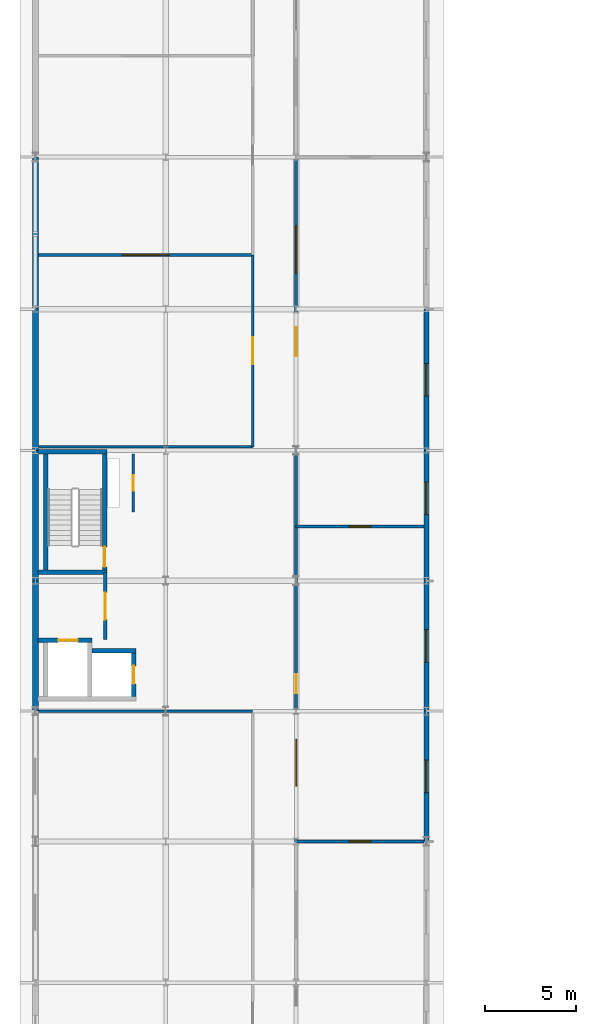
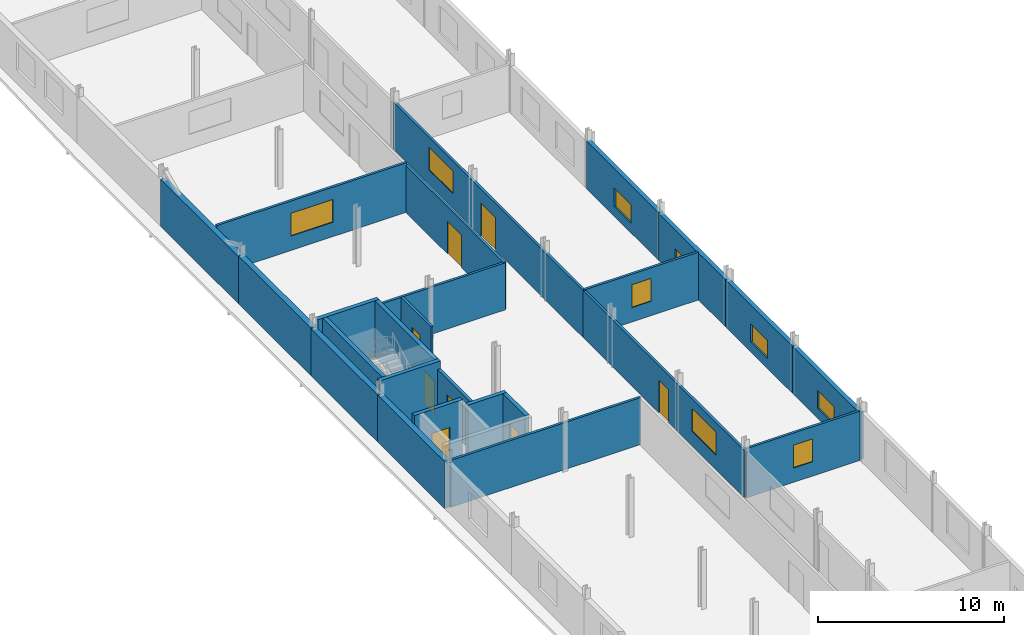
# One storey, part 21 of 30: 25 walls, 9 windows, 8 doors, 17 openings.
"""IFC4 building model written with IfcOpenShell, lengths in metres."""

from ifc_helpers import new_model, si_unit, direction, frame, frame_2d, origin, place, context, subcontext, project, spatial, rectangle, extrude, material, layer, layer_set, type_object, element, fill, save


model = new_model("IFC4")

# Units and contexts
model_context = context("Model", 3, precision=1e-05, world=origin(), true_north=direction((0.0, 1.0)))
body_context = subcontext(model_context, "Body", "Model", "MODEL_VIEW")
ifc_project = project(units=[si_unit("LENGTHUNIT", "METRE"), si_unit("AREAUNIT", "SQUARE_METRE"), si_unit("VOLUMEUNIT", "CUBIC_METRE"), si_unit("PLANEANGLEUNIT", "RADIAN"), si_unit("MASSUNIT", "GRAM", prefix="KILO")], contexts=[model_context])

# Site, building, storey
site_placement = place(None, origin())
site = spatial("IfcSite", under=ifc_project, at=site_placement, CompositionType="ELEMENT")
building_placement = place(site_placement, origin())
building = spatial("IfcBuilding", under=site, at=building_placement, Name="Vinh Khe Railworks Police Headquarters", CompositionType="ELEMENT")
storey_placement = place(building_placement, frame((0.0, 0.0, 21.0)))
storey = spatial("IfcBuildingStorey", under=building, at=storey_placement, Name="L05", CompositionType="ELEMENT", Elevation=21.0)

# Walls
ifc_material_1 = material(Name="Concrete C40/50 (B40)", Category="concrete")
ifc_layer_1 = layer(ifc_material_1, 0.25)
ifc_layer_set_1 = layer_set([ifc_layer_1], Name="Concrete C40/50 (B40)")
wall_type_1 = type_object("IfcWallType", Name="Core Shear Wall 250", PredefinedType="SHEAR", material=ifc_layer_set_1)
for number, where, z_axis, x_axis, name in (
    (1, (0.75, 81.47509765625, 0.0), (0.0, 0.0, 1.0), (1.0, 0.0, 0.0), "Core C2 STAIR-S Shear Wall (L05)"),
    (2, (0.75, 88.125, 0.0), (0.0, 0.0, 1.0), (1.0, 0.0, 0.0), "Core C2 STAIR-N Shear Wall (L05)"),
):
    element("IfcWall", number, at=place(storey_placement, frame(where, z_axis=z_axis, x_axis=x_axis)), inside=storey, type_object=wall_type_1, Name=name, PredefinedType="SHEAR", context=body_context, shape_type="SweptSolid", body=[
        extrude(rectangle(XDim=3.800048828125, YDim=0.25, at=frame_2d((1.89990234375, 0.0))), origin(), (0.0, 0.0, 1.0), 3.699951171875),
    ])
wall_1_placement = place(storey_placement, frame((1.175048828125, 81.60009765625, 0.0), z_axis=(0.0, 0.0, 1.0), x_axis=(0.0, 1.0, 0.0)))
element("IfcWall", 3, at=wall_1_placement, inside=storey, type_object=wall_type_1, Name="Core C2 STAIR-W Shear Wall (L05)", PredefinedType="SHEAR", context=body_context, shape_type="SweptSolid", body=[
    extrude(rectangle(XDim=6.39990234375, YDim=0.25, at=frame_2d((3.199951171875, 0.0))), origin(), (0.0, 0.0, 1.0), 3.699951171875),
])

# Wall, opening, door
wall_2_placement = place(storey_placement, frame((4.425048828125, 81.60009765625, 0.0), z_axis=(0.0, 0.0, 1.0), x_axis=(0.0, 1.0, 0.0)))
wall_2 = element("IfcWall", 4, at=wall_2_placement, inside=storey, type_object=wall_type_1, Name="Core C2 STAIR-E Shear Wall (L05)", PredefinedType="SHEAR", context=body_context, shape_type="SweptSolid", body=[
    extrude(rectangle(XDim=6.39990234375, YDim=0.25, at=frame_2d((3.199951171875, 0.0))), origin(), (0.0, 0.0, 1.0), 3.699951171875),
])
opening_1_placement = place(wall_2_placement, frame((0.169921875, 0.0, 0.0)))
opening_1 = element("IfcOpeningElement", 5, at=opening_1_placement, cuts=wall_2, Name="Opening FD-01", PredefinedType="OPENING", context=body_context, shape_type="SweptSolid", body=[
    extrude(rectangle(XDim=1.10009765625, YDim=2.14990234375, at=frame_2d((0.550048828125, 1.074951171875))), frame((0.0, 0.139892578125, 0.0), z_axis=(0.0, -1.0, 0.0), x_axis=(1.0, 0.0, 0.0)), (0.0, 0.0, 1.0), 0.27978515625),
])
ifc_material_2 = material(Name="Painted galvanised steel", Category="steel")
door_type_1 = type_object("IfcDoorType", Name="FD-1100x2150", OperationType="NOTDEFINED", PredefinedType="DOOR", material=ifc_material_2)
door_1_placement = place(opening_1_placement, frame((1.10009765625, 0.0, 0.0), z_axis=(0.0, 0.0, 1.0), x_axis=(-1.0, 0.0, 0.0)))
door_1 = element("IfcDoor", 6, at=door_1_placement, inside=storey, type_object=door_type_1, Name="Escape Stair ST-02 Fire Door L05", OperationType="SINGLE_SWING_RIGHT", OverallHeight=2.14990234375, OverallWidth=1.10009765625, PredefinedType="DOOR", context=body_context, shape_type="SweptSolid", body=[
    extrude(rectangle(XDim=1.10009765625, YDim=2.14990234375, at=frame_2d((0.550048828125, 1.074951171875))), frame((0.0, 0.02490234375, 0.0), z_axis=(0.0, -1.0, 0.0), x_axis=(1.0, 0.0, 0.0)), (0.0, 0.0, 1.0), 0.050048828125),
])
fill(opening_1, door_1)

wall_3_placement = place(storey_placement, frame((0.75, 77.72509765625, 0.0), z_axis=(0.0, 0.0, 1.0), x_axis=(1.0, 0.0, 0.0)))
wall_3 = element("IfcWall", 7, at=wall_3_placement, inside=storey, type_object=wall_type_1, Name="Core C2 FL-N Lift Shaft Wall (L05)", PredefinedType="SHEAR", context=body_context, shape_type="SweptSolid", body=[
    extrude(rectangle(XDim=2.97509765625, YDim=0.25, at=frame_2d((1.487548828125, 0.0))), origin(), (0.0, 0.0, 1.0), 3.699951171875),
])
opening_2_placement = place(wall_3_placement, frame((1.10009765625, 0.0, 0.0)))
opening_2 = element("IfcOpeningElement", 8, at=opening_2_placement, cuts=wall_3, Name="Opening LD-01", PredefinedType="OPENING", context=body_context, shape_type="SweptSolid", body=[
    extrude(rectangle(XDim=1.10009765625, YDim=2.14990234375, at=frame_2d((0.550048828125, 1.074951171875))), frame((0.0, 0.139892578125, 0.0), z_axis=(0.0, -1.0, 0.0), x_axis=(1.0, 0.0, 0.0)), (0.0, 0.0, 1.0), 0.27978515625),
])
door_type_2 = type_object("IfcDoorType", Name="LD-FF-1100", OperationType="SLIDING_TO_LEFT", PredefinedType="DOOR", material=ifc_material_2)
door_2_placement = place(opening_2_placement, origin())
door_2 = element("IfcDoor", 9, at=door_2_placement, inside=storey, type_object=door_type_2, Name="Firefighting Lift Landing Door FL-02 L05", OperationType="SLIDING_TO_LEFT", OverallHeight=2.14990234375, OverallWidth=1.10009765625, PredefinedType="DOOR", context=body_context, shape_type="SweptSolid", body=[
    extrude(rectangle(XDim=1.10009765625, YDim=2.14990234375, at=frame_2d((0.550048828125, 1.074951171875))), frame((0.0, 0.02490234375, 0.0), z_axis=(0.0, -1.0, 0.0), x_axis=(1.0, 0.0, 0.0)), (0.0, 0.0, 1.0), 0.050048828125),
])
fill(opening_2, door_2)

# Wall
wall_4_placement = place(storey_placement, frame((3.72509765625, 77.125, 0.0), z_axis=(0.0, 0.0, 1.0), x_axis=(1.0, 0.0, 0.0)))
element("IfcWall", 10, at=wall_4_placement, inside=storey, type_object=wall_type_1, Name="Core C2 PL-N Lift Shaft Wall (L05)", PredefinedType="SHEAR", context=body_context, shape_type="SweptSolid", body=[
    extrude(rectangle(XDim=2.4248046875, YDim=0.25, at=frame_2d((1.21240234375, 0.0))), origin(), (0.0, 0.0, 1.0), 3.699951171875),
])

# Wall, opening, door
wall_5_placement = place(storey_placement, frame((6.02490234375, 74.60009765625, 0.0), z_axis=(0.0, 0.0, 1.0), x_axis=(0.0, 1.0, 0.0)))
wall_5 = element("IfcWall", 11, at=wall_5_placement, inside=storey, type_object=wall_type_1, Name="Core C2 PL-E Lift Shaft Wall (L05)", PredefinedType="SHEAR", context=body_context, shape_type="SweptSolid", body=[
    extrude(rectangle(XDim=2.39990234375, YDim=0.25, at=frame_2d((1.199951171875, 0.0))), origin(), (0.0, 0.0, 1.0), 3.699951171875),
])
opening_3_placement = place(wall_5_placement, frame((0.699951171875, 0.0, 0.0)))
opening_3 = element("IfcOpeningElement", 12, at=opening_3_placement, cuts=wall_5, Name="Opening LD-02", PredefinedType="OPENING", context=body_context, shape_type="SweptSolid", body=[
    extrude(rectangle(XDim=1.0, YDim=2.14990234375, at=frame_2d((0.5, 1.074951171875))), frame((0.0, 0.139892578125, 0.0), z_axis=(0.0, -1.0, 0.0), x_axis=(1.0, 0.0, 0.0)), (0.0, 0.0, 1.0), 0.27978515625),
])
door_type_3 = type_object("IfcDoorType", Name="LD-PAX-1000", OperationType="SLIDING_TO_RIGHT", PredefinedType="DOOR", material=ifc_material_2)
door_3_placement = place(opening_3_placement, frame((1.0, 0.0, 0.0), z_axis=(0.0, 0.0, 1.0), x_axis=(-1.0, 0.0, 0.0)))
door_3 = element("IfcDoor", 13, at=door_3_placement, inside=storey, type_object=door_type_3, Name="Passenger Lift Landing Door PL-02 L05", OperationType="SLIDING_TO_RIGHT", OverallHeight=2.14990234375, OverallWidth=1.0, PredefinedType="DOOR", context=body_context, shape_type="SweptSolid", body=[
    extrude(rectangle(XDim=1.0, YDim=2.14990234375, at=frame_2d((0.5, 1.074951171875))), frame((0.0, 0.02490234375, 0.0), z_axis=(0.0, -1.0, 0.0), x_axis=(1.0, 0.0, 0.0)), (0.0, 0.0, 1.0), 0.050048828125),
])
fill(opening_3, door_3)

# Wall, opening, window
ifc_material_3 = material(Name="Clay brickwork", Category="masonry")
ifc_layer_2 = layer(ifc_material_3, 0.260009765625)
ifc_layer_set_2 = layer_set([ifc_layer_2], Name="Clay brickwork")
wall_type_2 = type_object("IfcWallType", Name="EW-BRK-260", PredefinedType="SOLIDWALL", material=ifc_layer_set_2)
wall_6_placement = place(storey_placement, frame((22.199951171875, 66.60009765625, 0.0), z_axis=(0.0, 0.0, 1.0), x_axis=(0.0, 1.0, 0.0)))
wall_6 = element("IfcWall", 14, at=wall_6_placement, inside=storey, type_object=wall_type_2, Name="Exterior Brick Wall EW-L05-V5E-09", PredefinedType="SOLIDWALL", context=body_context, shape_type="SweptSolid", body=[
    extrude(rectangle(XDim=7.199951171875, YDim=0.260009765625, at=frame_2d((3.60009765625, 0.0))), origin(), (0.0, 0.0, 1.0), 3.094970703125),
])
opening_4_placement = place(wall_6_placement, frame((2.699951171875, 0.0, 0.64990234375)))
opening_4 = element("IfcOpeningElement", 15, at=opening_4_placement, cuts=wall_6, Name="Opening WN-08", PredefinedType="OPENING", context=body_context, shape_type="SweptSolid", body=[
    extrude(rectangle(XDim=1.800048828125, YDim=1.199951171875, at=frame_2d((0.89990234375, 0.60009765625))), frame((0.0, 0.14501953125, 0.0), z_axis=(0.0, -1.0, 0.0), x_axis=(1.0, 0.0, 0.0)), (0.0, 0.0, 1.0), 0.289794921875),
])
ifc_material_4 = material(Name="Double-glazed solar-control glass in dark steel frame", Category="steel")
window_type_1 = type_object("IfcWindowType", Name="WIN-WN-08", PartitioningType="SINGLE_PANEL", PredefinedType="WINDOW", material=ifc_material_4)
window_1_placement = place(opening_4_placement, origin())
window_1 = element("IfcWindow", 16, at=window_1_placement, inside=storey, type_object=window_type_1, Name="Casement Window WN-08", OverallHeight=1.199951171875, OverallWidth=1.800048828125, PartitioningType="SINGLE_PANEL", PredefinedType="WINDOW", context=body_context, shape_type="SweptSolid", body=[
    extrude(rectangle(XDim=1.800048828125, YDim=1.199951171875, at=frame_2d((0.89990234375, 0.60009765625))), frame((0.0, 0.030029296875, 0.0), z_axis=(0.0, -1.0, 0.0), x_axis=(1.0, 0.0, 0.0)), (0.0, 0.0, 1.0), 0.06005859375),
])
fill(opening_4, window_1)

wall_7_placement = place(storey_placement, frame((22.199951171875, 73.800048828125, 0.0), z_axis=(0.0, 0.0, 1.0), x_axis=(0.0, 1.0, 0.0)))
wall_7 = element("IfcWall", 17, at=wall_7_placement, inside=storey, type_object=wall_type_2, Name="Exterior Brick Wall EW-L05-V5E-10", PredefinedType="SOLIDWALL", context=body_context, shape_type="SweptSolid", body=[
    extrude(rectangle(XDim=7.199951171875, YDim=0.260009765625, at=frame_2d((3.60009765625, 0.0))), origin(), (0.0, 0.0, 1.0), 3.094970703125),
])
opening_5_placement = place(wall_7_placement, frame((2.699951171875, 0.0, 0.64990234375)))
opening_5 = element("IfcOpeningElement", 18, at=opening_5_placement, cuts=wall_7, Name="Opening WN-08", PredefinedType="OPENING", context=body_context, shape_type="SweptSolid", body=[
    extrude(rectangle(XDim=1.800048828125, YDim=1.199951171875, at=frame_2d((0.89990234375, 0.60009765625))), frame((0.0, 0.14501953125, 0.0), z_axis=(0.0, -1.0, 0.0), x_axis=(1.0, 0.0, 0.0)), (0.0, 0.0, 1.0), 0.289794921875),
])
window_2_placement = place(opening_5_placement, origin())
window_2 = element("IfcWindow", 19, at=window_2_placement, inside=storey, type_object=window_type_1, Name="Casement Window WN-08", OverallHeight=1.199951171875, OverallWidth=1.800048828125, PartitioningType="SINGLE_PANEL", PredefinedType="WINDOW", context=body_context, shape_type="SweptSolid", body=[
    extrude(rectangle(XDim=1.800048828125, YDim=1.199951171875, at=frame_2d((0.89990234375, 0.60009765625))), frame((0.0, 0.030029296875, 0.0), z_axis=(0.0, -1.0, 0.0), x_axis=(1.0, 0.0, 0.0)), (0.0, 0.0, 1.0), 0.06005859375),
])
fill(opening_5, window_2)

wall_8_placement = place(storey_placement, frame((22.199951171875, 81.0, 0.0), z_axis=(0.0, 0.0, 1.0), x_axis=(0.0, 1.0, 0.0)))
wall_8 = element("IfcWall", 20, at=wall_8_placement, inside=storey, type_object=wall_type_2, Name="Exterior Brick Wall EW-L05-V5E-11", PredefinedType="SOLIDWALL", context=body_context, shape_type="SweptSolid", body=[
    extrude(rectangle(XDim=7.199951171875, YDim=0.260009765625, at=frame_2d((3.60009765625, 0.0))), origin(), (0.0, 0.0, 1.0), 3.094970703125),
])
opening_6_placement = place(wall_8_placement, frame((3.64990234375, 0.0, 0.64990234375)))
opening_6 = element("IfcOpeningElement", 21, at=opening_6_placement, cuts=wall_8, Name="Opening WN-08", PredefinedType="OPENING", context=body_context, shape_type="SweptSolid", body=[
    extrude(rectangle(XDim=1.800048828125, YDim=1.199951171875, at=frame_2d((0.89990234375, 0.60009765625))), frame((0.0, 0.14501953125, 0.0), z_axis=(0.0, -1.0, 0.0), x_axis=(1.0, 0.0, 0.0)), (0.0, 0.0, 1.0), 0.289794921875),
])
window_3_placement = place(opening_6_placement, origin())
window_3 = element("IfcWindow", 22, at=window_3_placement, inside=storey, type_object=window_type_1, Name="Casement Window WN-08", OverallHeight=1.199951171875, OverallWidth=1.800048828125, PartitioningType="SINGLE_PANEL", PredefinedType="WINDOW", context=body_context, shape_type="SweptSolid", body=[
    extrude(rectangle(XDim=1.800048828125, YDim=1.199951171875, at=frame_2d((0.89990234375, 0.60009765625))), frame((0.0, 0.030029296875, 0.0), z_axis=(0.0, -1.0, 0.0), x_axis=(1.0, 0.0, 0.0)), (0.0, 0.0, 1.0), 0.06005859375),
])
fill(opening_6, window_3)

wall_9_placement = place(storey_placement, frame((22.199951171875, 88.199951171875, 0.0), z_axis=(0.0, 0.0, 1.0), x_axis=(0.0, 1.0, 0.0)))
wall_9 = element("IfcWall", 23, at=wall_9_placement, inside=storey, type_object=wall_type_2, Name="Exterior Brick Wall EW-L05-V5E-12", PredefinedType="SOLIDWALL", context=body_context, shape_type="SweptSolid", body=[
    extrude(rectangle(XDim=7.800048828125, YDim=0.260009765625, at=frame_2d((3.89990234375, 0.0))), origin(), (0.0, 0.0, 1.0), 3.14501953125),
])
opening_7_placement = place(wall_9_placement, frame((3.0, 0.0, 0.64990234375)))
opening_7 = element("IfcOpeningElement", 24, at=opening_7_placement, cuts=wall_9, Name="Opening WN-08", PredefinedType="OPENING", context=body_context, shape_type="SweptSolid", body=[
    extrude(rectangle(XDim=1.800048828125, YDim=1.199951171875, at=frame_2d((0.89990234375, 0.60009765625))), frame((0.0, 0.14501953125, 0.0), z_axis=(0.0, -1.0, 0.0), x_axis=(1.0, 0.0, 0.0)), (0.0, 0.0, 1.0), 0.289794921875),
])
window_4_placement = place(opening_7_placement, origin())
window_4 = element("IfcWindow", 25, at=window_4_placement, inside=storey, type_object=window_type_1, Name="Casement Window WN-08", OverallHeight=1.199951171875, OverallWidth=1.800048828125, PartitioningType="SINGLE_PANEL", PredefinedType="WINDOW", context=body_context, shape_type="SweptSolid", body=[
    extrude(rectangle(XDim=1.800048828125, YDim=1.199951171875, at=frame_2d((0.89990234375, 0.60009765625))), frame((0.0, 0.030029296875, 0.0), z_axis=(0.0, -1.0, 0.0), x_axis=(1.0, 0.0, 0.0)), (0.0, 0.0, 1.0), 0.06005859375),
])
fill(opening_7, window_4)

# Walls
ifc_layer_3 = layer(ifc_material_3, 0.340087890625)
ifc_layer_set_3 = layer_set([ifc_layer_3], Name="Clay brickwork")
wall_type_3 = type_object("IfcWallType", Name="EW-BRK-340", PredefinedType="SOLIDWALL", material=ifc_layer_set_3)
for number, where, z_axis, x_axis, name in (
    (26, (0.60009765625, 73.800048828125, 0.0), (0.0, 0.0, 1.0), (0.0, 1.0, 0.0), "Exterior Brick Wall EW-L05-V5W-10"),
    (27, (0.60009765625, 81.0, 0.0), (0.0, 0.0, 1.0), (0.0, 1.0, 0.0), "Exterior Brick Wall EW-L05-V5W-11"),
):
    element("IfcWall", number, at=place(storey_placement, frame(where, z_axis=z_axis, x_axis=x_axis)), inside=storey, type_object=wall_type_3, Name=name, PredefinedType="SOLIDWALL", context=body_context, shape_type="SweptSolid", body=[
        extrude(rectangle(XDim=7.199951171875, YDim=0.340087890625, at=frame_2d((3.60009765625, 0.0))), origin(), (0.0, 0.0, 1.0), 3.094970703125),
    ])
wall_10_placement = place(storey_placement, frame((0.60009765625, 88.199951171875, 0.0), z_axis=(0.0, 0.0, 1.0), x_axis=(0.0, 1.0, 0.0)))
element("IfcWall", 28, at=wall_10_placement, inside=storey, type_object=wall_type_3, Name="Exterior Brick Wall EW-L05-V5W-12", PredefinedType="SOLIDWALL", context=body_context, shape_type="SweptSolid", body=[
    extrude(rectangle(XDim=7.800048828125, YDim=0.340087890625, at=frame_2d((3.89990234375, 0.0))), origin(), (0.0, 0.0, 1.0), 3.14501953125),
])
wall_11_placement = place(storey_placement, frame((0.60009765625, 96.0, 0.0), z_axis=(0.0, 0.0, 1.0), x_axis=(0.0, 1.0, 0.0)))
element("IfcWall", 29, at=wall_11_placement, inside=storey, type_object=wall_type_3, Name="Exterior Brick Wall EW-L05-V5W-13", PredefinedType="SOLIDWALL", context=body_context, shape_type="SweptSolid", body=[
    extrude(rectangle(XDim=8.39990234375, YDim=0.340087890625, at=frame_2d((4.199951171875, 0.0))), origin(), (0.0, 0.0, 1.0), 3.10498046875),
])

# Wall, opening, door
ifc_material_5 = material(Name="Autoclaved aerated concrete blockwork", Category="masonry")
ifc_layer_4 = layer(ifc_material_5, 0.199951171875)
ifc_layer_set_4 = layer_set([ifc_layer_4], Name="Autoclaved aerated concrete blockwork")
wall_type_4 = type_object("IfcWallType", Name="IW-BLK-200", PredefinedType="PARTITIONING", material=ifc_layer_set_4)
wall_12_placement = place(storey_placement, frame((4.449951171875, 77.75, 0.0), z_axis=(0.0, 0.0, 1.0), x_axis=(0.0, 1.0, 0.0)))
wall_12 = element("IfcWall", 30, at=wall_12_placement, inside=storey, type_object=wall_type_4, Name="Interior Partition W-FFL-C2-E-L05", PredefinedType="PARTITIONING", context=body_context, shape_type="SweptSolid", body=[
    extrude(rectangle(XDim=3.699951171875, YDim=0.199951171875, at=frame_2d((1.85009765625, 0.0))), origin(), (0.0, 0.0, 1.0), 3.195068359375),
])
opening_8_placement = place(wall_12_placement, frame((1.10009765625, 0.0, 0.0)))
opening_8 = element("IfcOpeningElement", 31, at=opening_8_placement, cuts=wall_12, Name="Opening FD-02", PredefinedType="OPENING", context=body_context, shape_type="SweptSolid", body=[
    extrude(rectangle(XDim=1.5, YDim=2.14990234375, at=frame_2d((0.75, 1.074951171875))), frame((0.0, 0.11474609375, 0.0), z_axis=(0.0, -1.0, 0.0), x_axis=(1.0, 0.0, 0.0)), (0.0, 0.0, 1.0), 0.229736328125),
])
door_type_4 = type_object("IfcDoorType", Name="FD-1500x2150", OperationType="DOUBLE_DOOR_SINGLE_SWING", PredefinedType="DOOR", material=ifc_material_2)
door_4_placement = place(opening_8_placement, origin())
door_4 = element("IfcDoor", 32, at=door_4_placement, inside=storey, type_object=door_type_4, Name="Firefighting Lobby Fire Door", OperationType="DOUBLE_DOOR_SINGLE_SWING", OverallHeight=2.14990234375, OverallWidth=1.5, PredefinedType="DOOR", context=body_context, shape_type="SweptSolid", body=[
    extrude(rectangle(XDim=1.5, YDim=2.14990234375, at=frame_2d((0.75, 1.074951171875))), frame((0.0, 0.02490234375, 0.0), z_axis=(0.0, -1.0, 0.0), x_axis=(1.0, 0.0, 0.0)), (0.0, 0.0, 1.0), 0.050048828125),
])
fill(opening_8, door_4)

# Walls
ifc_material_6 = material(Name="Gypsum plasterboard on steel stud", Category="steel")
ifc_layer_5 = layer(ifc_material_6, 0.1201171875)
ifc_layer_set_5 = layer_set([ifc_layer_5], Name="Gypsum plasterboard on steel stud")
wall_type_5 = type_object("IfcWallType", Name="IW-PART-120", PredefinedType="PARTITIONING", material=ifc_layer_set_5)
for number, where, z_axis, x_axis, name in (
    (33, (0.780029296875, 73.800048828125, 0.0), (0.0, 0.0, 1.0), (1.0, 0.0, 0.0), "Interior Partition W-L05-V5-CYBHALL-ENDN"),
    (34, (0.780029296875, 88.39990234375, 0.0), (0.0, 0.0, 1.0), (1.0, 0.0, 0.0), "Interior Partition W-L05-V5-CYBSRV-DIV"),
):
    element("IfcWall", number, at=place(storey_placement, frame(where, z_axis=z_axis, x_axis=x_axis)), inside=storey, type_object=wall_type_5, Name=name, PredefinedType="PARTITIONING", context=body_context, shape_type="SweptSolid", body=[
        extrude(rectangle(XDim=11.820068359375, YDim=0.14990234375, at=frame_2d((5.91015625, 0.0))), origin(), (0.0, 0.0, 1.0), 3.094970703125),
    ])

# Wall, opening, window
wall_13_placement = place(storey_placement, frame((0.780029296875, 99.0, 0.0), z_axis=(0.0, 0.0, 1.0), x_axis=(1.0, 0.0, 0.0)))
wall_13 = element("IfcWall", 35, at=wall_13_placement, inside=storey, type_object=wall_type_5, Name="Interior Partition W-L05-V5-INSP1-DIV", PredefinedType="PARTITIONING", context=body_context, shape_type="SweptSolid", body=[
    extrude(rectangle(XDim=11.820068359375, YDim=0.14990234375, at=frame_2d((5.91015625, 0.0))), origin(), (0.0, 0.0, 1.0), 3.2548828125),
])
opening_9_placement = place(wall_13_placement, frame((4.610107421875, 0.0, 0.949951171875)))
opening_9 = element("IfcOpeningElement", 36, at=opening_9_placement, cuts=wall_13, Name="Opening WN-07", PredefinedType="OPENING", context=body_context, shape_type="SweptSolid", body=[
    extrude(rectangle(XDim=2.60009765625, YDim=1.5, at=frame_2d((1.300048828125, 0.75))), frame((0.0, 0.08984375, 0.0), z_axis=(0.0, -1.0, 0.0), x_axis=(1.0, 0.0, 0.0)), (0.0, 0.0, 1.0), 0.1796875),
])
window_type_2 = type_object("IfcWindowType", Name="WIN-WN-07", PartitioningType="DOUBLE_PANEL_HORIZONTAL", PredefinedType="WINDOW", material=ifc_material_4)
window_5_placement = place(opening_9_placement, origin())
window_5 = element("IfcWindow", 37, at=window_5_placement, inside=storey, type_object=window_type_2, Name="Interior Acoustic Vision Window WN-07", OverallHeight=1.5, OverallWidth=2.60009765625, PartitioningType="SINGLE_PANEL", PredefinedType="WINDOW", context=body_context, shape_type="SweptSolid", body=[
    extrude(rectangle(XDim=2.60009765625, YDim=1.5, at=frame_2d((1.300048828125, 0.75))), frame((0.0, 0.030029296875, 0.0), z_axis=(0.0, -1.0, 0.0), x_axis=(1.0, 0.0, 0.0)), (0.0, 0.0, 1.0), 0.06005859375),
])
fill(opening_9, window_5)

wall_14_placement = place(storey_placement, frame((15.0, 66.60009765625, 0.0), z_axis=(0.0, 0.0, 1.0), x_axis=(1.0, 0.0, 0.0)))
wall_14 = element("IfcWall", 38, at=wall_14_placement, inside=storey, type_object=wall_type_5, Name="Interior Partition W-L05-V5-THRT4-DIV", PredefinedType="PARTITIONING", context=body_context, shape_type="SweptSolid", body=[
    extrude(rectangle(XDim=7.06005859375, YDim=0.14990234375, at=frame_2d((3.530029296875, 0.0))), origin(), (0.0, 0.0, 1.0), 3.2451171875),
])
opening_10_placement = place(wall_14_placement, frame((2.929931640625, 0.0, 0.949951171875)))
opening_10 = element("IfcOpeningElement", 39, at=opening_10_placement, cuts=wall_14, Name="Opening WN-10", PredefinedType="OPENING", context=body_context, shape_type="SweptSolid", body=[
    extrude(rectangle(XDim=1.199951171875, YDim=1.5, at=frame_2d((0.60009765625, 0.75))), frame((0.0, 0.08984375, 0.0), z_axis=(0.0, -1.0, 0.0), x_axis=(1.0, 0.0, 0.0)), (0.0, 0.0, 1.0), 0.1796875),
])
window_type_3 = type_object("IfcWindowType", Name="WIN-WN-10", PartitioningType="SINGLE_PANEL", PredefinedType="WINDOW", material=ifc_material_4)
window_6_placement = place(opening_10_placement, origin())
window_6 = element("IfcWindow", 40, at=window_6_placement, inside=storey, type_object=window_type_3, Name="Interior Acoustic Vision Window WN-10", OverallHeight=1.5, OverallWidth=1.199951171875, PartitioningType="SINGLE_PANEL", PredefinedType="WINDOW", context=body_context, shape_type="SweptSolid", body=[
    extrude(rectangle(XDim=1.199951171875, YDim=1.5, at=frame_2d((0.60009765625, 0.75))), frame((0.0, 0.030029296875, 0.0), z_axis=(0.0, -1.0, 0.0), x_axis=(1.0, 0.0, 0.0)), (0.0, 0.0, 1.0), 0.06005859375),
])
fill(opening_10, window_6)

wall_15_placement = place(storey_placement, frame((15.0, 84.0, 0.0), z_axis=(0.0, 0.0, 1.0), x_axis=(1.0, 0.0, 0.0)))
wall_15 = element("IfcWall", 41, at=wall_15_placement, inside=storey, type_object=wall_type_5, Name="Interior Partition W-L05-V5-BRK5-DIV", PredefinedType="PARTITIONING", context=body_context, shape_type="SweptSolid", body=[
    extrude(rectangle(XDim=7.06005859375, YDim=0.14990234375, at=frame_2d((3.530029296875, 0.0))), origin(), (0.0, 0.0, 1.0), 3.14501953125),
])
opening_11_placement = place(wall_15_placement, frame((2.929931640625, 0.0, 0.949951171875)))
opening_11 = element("IfcOpeningElement", 42, at=opening_11_placement, cuts=wall_15, Name="Opening WN-10", PredefinedType="OPENING", context=body_context, shape_type="SweptSolid", body=[
    extrude(rectangle(XDim=1.199951171875, YDim=1.5, at=frame_2d((0.60009765625, 0.75))), frame((0.0, 0.08984375, 0.0), z_axis=(0.0, -1.0, 0.0), x_axis=(1.0, 0.0, 0.0)), (0.0, 0.0, 1.0), 0.1796875),
])
window_7_placement = place(opening_11_placement, origin())
window_7 = element("IfcWindow", 43, at=window_7_placement, inside=storey, type_object=window_type_3, Name="Interior Acoustic Vision Window WN-10", OverallHeight=1.5, OverallWidth=1.199951171875, PartitioningType="SINGLE_PANEL", PredefinedType="WINDOW", context=body_context, shape_type="SweptSolid", body=[
    extrude(rectangle(XDim=1.199951171875, YDim=1.5, at=frame_2d((0.60009765625, 0.75))), frame((0.0, 0.030029296875, 0.0), z_axis=(0.0, -1.0, 0.0), x_axis=(1.0, 0.0, 0.0)), (0.0, 0.0, 1.0), 0.06005859375),
])
fill(opening_11, window_7)

# Wall, opening, door
ifc_material_7 = material(Name="Gypsum plasterboard on acoustic steel stud", Category="steel")
ifc_layer_6 = layer(ifc_material_7, 0.14990234375)
ifc_layer_set_6 = layer_set([ifc_layer_6], Name="Gypsum plasterboard on acoustic steel stud")
wall_type_6 = type_object("IfcWallType", Name="IW-PART-150", PredefinedType="PARTITIONING", material=ifc_layer_set_6)
wall_16_placement = place(storey_placement, frame((6.0, 84.800048828125, 0.0), z_axis=(0.0, 0.0, 1.0), x_axis=(0.0, 1.0, 0.0)))
wall_16 = element("IfcWall", 44, at=wall_16_placement, inside=storey, type_object=wall_type_6, Name="Interior Partition W-RSR-C2-E-L05", PredefinedType="PARTITIONING", context=body_context, shape_type="SweptSolid", body=[
    extrude(rectangle(XDim=3.199951171875, YDim=0.14990234375, at=frame_2d((1.60009765625, 0.0))), origin(), (0.0, 0.0, 1.0), 3.364990234375),
])
opening_12_placement = place(wall_16_placement, frame((1.175048828125, 0.0, 0.0)))
opening_12 = element("IfcOpeningElement", 45, at=opening_12_placement, cuts=wall_16, Name="Opening FD-04", PredefinedType="OPENING", context=body_context, shape_type="SweptSolid", body=[
    extrude(rectangle(XDim=0.85009765625, YDim=2.10009765625, at=frame_2d((0.425048828125, 1.050048828125))), frame((0.0, 0.08984375, 0.0), z_axis=(0.0, -1.0, 0.0), x_axis=(1.0, 0.0, 0.0)), (0.0, 0.0, 1.0), 0.1796875),
])
door_type_5 = type_object("IfcDoorType", Name="FD-850x2100", OperationType="NOTDEFINED", PredefinedType="DOOR", material=ifc_material_2)
door_5_placement = place(opening_12_placement, origin())
door_5 = element("IfcDoor", 46, at=door_5_placement, inside=storey, type_object=door_type_5, Name="Wet Riser Access Door", OperationType="SINGLE_SWING_RIGHT", OverallHeight=2.10009765625, OverallWidth=0.85009765625, PredefinedType="DOOR", context=body_context, shape_type="SweptSolid", body=[
    extrude(rectangle(XDim=0.85009765625, YDim=2.10009765625, at=frame_2d((0.425048828125, 1.050048828125))), frame((0.0, 0.02490234375, 0.0), z_axis=(0.0, -1.0, 0.0), x_axis=(1.0, 0.0, 0.0)), (0.0, 0.0, 1.0), 0.050048828125),
])
fill(opening_12, door_5)

wall_17_placement = place(storey_placement, frame((12.60009765625, 88.39990234375, 0.0), z_axis=(0.0, 0.0, 1.0), x_axis=(0.0, 1.0, 0.0)))
wall_17 = element("IfcWall", 47, at=wall_17_placement, inside=storey, type_object=wall_type_6, Name="Interior Partition W-L05-V5-CYBSRV-CW", PredefinedType="PARTITIONING", context=body_context, shape_type="SweptSolid", body=[
    extrude(rectangle(XDim=10.60009765625, YDim=0.14990234375, at=frame_2d((5.300048828125, 0.0))), origin(), (0.0, 0.0, 1.0), 3.094970703125),
])
opening_13_placement = place(wall_17_placement, frame((4.550048828125, 0.0, 0.0)))
opening_13 = element("IfcOpeningElement", 48, at=opening_13_placement, cuts=wall_17, Name="Opening FD-02", PredefinedType="OPENING", context=body_context, shape_type="SweptSolid", body=[
    extrude(rectangle(XDim=1.5, YDim=2.14990234375, at=frame_2d((0.75, 1.074951171875))), frame((0.0, 0.08984375, 0.0), z_axis=(0.0, -1.0, 0.0), x_axis=(1.0, 0.0, 0.0)), (0.0, 0.0, 1.0), 0.1796875),
])
door_6_placement = place(opening_13_placement, origin())
door_6 = element("IfcDoor", 49, at=door_6_placement, inside=storey, type_object=door_type_4, Name="Forensic Data Cluster Plant Room Door", OperationType="DOUBLE_DOOR_SINGLE_SWING", OverallHeight=2.14990234375, OverallWidth=1.5, PredefinedType="DOOR", context=body_context, shape_type="SweptSolid", body=[
    extrude(rectangle(XDim=1.5, YDim=2.14990234375, at=frame_2d((0.75, 1.074951171875))), frame((0.0, 0.02490234375, 0.0), z_axis=(0.0, -1.0, 0.0), x_axis=(1.0, 0.0, 0.0)), (0.0, 0.0, 1.0), 0.050048828125),
])
fill(opening_13, door_6)

# Wall, openings, door, window
wall_18_placement = place(storey_placement, frame((15.0, 66.60009765625, 0.0), z_axis=(0.0, 0.0, 1.0), x_axis=(0.0, 1.0, 0.0)))
wall_18 = element("IfcWall", 50, at=wall_18_placement, inside=storey, type_object=wall_type_6, Name="Interior Partition W-L05-V5-THRT4-CE", PredefinedType="PARTITIONING", context=body_context, shape_type="SweptSolid", body=[
    extrude(rectangle(XDim=17.39990234375, YDim=0.14990234375, at=frame_2d((8.699951171875, 0.0))), origin(), (0.0, 0.0, 1.0), 3.094970703125),
])
opening_14_placement = place(wall_18_placement, frame((8.175048828125, 0.0, 0.0)))
opening_14 = element("IfcOpeningElement", 51, at=opening_14_placement, cuts=wall_18, Name="Opening D-02", PredefinedType="OPENING", context=body_context, shape_type="SweptSolid", body=[
    extrude(rectangle(XDim=1.050048828125, YDim=2.14990234375, at=frame_2d((0.52490234375, 1.074951171875))), frame((0.0, 0.08984375, 0.0), z_axis=(0.0, -1.0, 0.0), x_axis=(1.0, 0.0, 0.0)), (0.0, 0.0, 1.0), 0.1796875),
])
opening_15_placement = place(wall_18_placement, frame((3.050048828125, 0.0, 0.949951171875)))
opening_15 = element("IfcOpeningElement", 52, at=opening_15_placement, cuts=wall_18, Name="Opening WN-07", PredefinedType="OPENING", context=body_context, shape_type="SweptSolid", body=[
    extrude(rectangle(XDim=2.60009765625, YDim=1.5, at=frame_2d((1.300048828125, 0.75))), frame((0.0, 0.08984375, 0.0), z_axis=(0.0, -1.0, 0.0), x_axis=(1.0, 0.0, 0.0)), (0.0, 0.0, 1.0), 0.1796875),
])
ifc_material_8 = material(Name="Seasoned hardwood timber", Category="wood")
door_type_6 = type_object("IfcDoorType", Name="ID-1050x2150", OperationType="NOTDEFINED", PredefinedType="DOOR", material=ifc_material_8)
door_7_placement = place(opening_14_placement, origin())
door_7 = element("IfcDoor", 53, at=door_7_placement, inside=storey, type_object=door_type_6, Name="Cryptographic Analysis Office Door", OperationType="SINGLE_SWING_RIGHT", OverallHeight=2.14990234375, OverallWidth=1.050048828125, PredefinedType="DOOR", context=body_context, shape_type="SweptSolid", body=[
    extrude(rectangle(XDim=1.050048828125, YDim=2.14990234375, at=frame_2d((0.52490234375, 1.074951171875))), frame((0.0, 0.02490234375, 0.0), z_axis=(0.0, -1.0, 0.0), x_axis=(1.0, 0.0, 0.0)), (0.0, 0.0, 1.0), 0.050048828125),
])
fill(opening_14, door_7)
window_8_placement = place(opening_15_placement, origin())
window_8 = element("IfcWindow", 54, at=window_8_placement, inside=storey, type_object=window_type_2, Name="Interior Acoustic Vision Window WN-07", OverallHeight=1.5, OverallWidth=2.60009765625, PartitioningType="SINGLE_PANEL", PredefinedType="WINDOW", context=body_context, shape_type="SweptSolid", body=[
    extrude(rectangle(XDim=2.60009765625, YDim=1.5, at=frame_2d((1.300048828125, 0.75))), frame((0.0, 0.030029296875, 0.0), z_axis=(0.0, -1.0, 0.0), x_axis=(1.0, 0.0, 0.0)), (0.0, 0.0, 1.0), 0.06005859375),
])
fill(opening_15, window_8)

wall_19_placement = place(storey_placement, frame((15.0, 84.0, 0.0), z_axis=(0.0, 0.0, 1.0), x_axis=(0.0, 1.0, 0.0)))
wall_19 = element("IfcWall", 55, at=wall_19_placement, inside=storey, type_object=wall_type_6, Name="Interior Partition W-L05-V5-BRK5-CE", PredefinedType="PARTITIONING", context=body_context, shape_type="SweptSolid", body=[
    extrude(rectangle(XDim=20.39990234375, YDim=0.14990234375, at=frame_2d((10.199951171875, 0.0))), origin(), (0.0, 0.0, 1.0), 3.094970703125),
])
opening_16_placement = place(wall_19_placement, frame((9.39990234375, 0.0, 0.0)))
opening_16 = element("IfcOpeningElement", 56, at=opening_16_placement, cuts=wall_19, Name="Opening D-03", PredefinedType="OPENING", context=body_context, shape_type="SweptSolid", body=[
    extrude(rectangle(XDim=1.60009765625, YDim=2.14990234375, at=frame_2d((0.800048828125, 1.074951171875))), frame((0.0, 0.08984375, 0.0), z_axis=(0.0, -1.0, 0.0), x_axis=(1.0, 0.0, 0.0)), (0.0, 0.0, 1.0), 0.1796875),
])
opening_17_placement = place(wall_19_placement, frame((14.0, 0.0, 0.949951171875)))
opening_17 = element("IfcOpeningElement", 57, at=opening_17_placement, cuts=wall_19, Name="Opening WN-07", PredefinedType="OPENING", context=body_context, shape_type="SweptSolid", body=[
    extrude(rectangle(XDim=2.60009765625, YDim=1.5, at=frame_2d((1.300048828125, 0.75))), frame((0.0, 0.08984375, 0.0), z_axis=(0.0, -1.0, 0.0), x_axis=(1.0, 0.0, 0.0)), (0.0, 0.0, 1.0), 0.1796875),
])
door_type_7 = type_object("IfcDoorType", Name="ID-1600x2150", OperationType="DOUBLE_DOOR_SINGLE_SWING", PredefinedType="DOOR", material=ifc_material_2)
door_8_placement = place(opening_16_placement, origin())
door_8 = element("IfcDoor", 58, at=door_8_placement, inside=storey, type_object=door_type_7, Name="Veranda Breakout Lounge L05 Door", OperationType="DOUBLE_DOOR_SINGLE_SWING", OverallHeight=2.14990234375, OverallWidth=1.60009765625, PredefinedType="DOOR", context=body_context, shape_type="SweptSolid", body=[
    extrude(rectangle(XDim=1.60009765625, YDim=2.14990234375, at=frame_2d((0.800048828125, 1.074951171875))), frame((0.0, 0.02490234375, 0.0), z_axis=(0.0, -1.0, 0.0), x_axis=(1.0, 0.0, 0.0)), (0.0, 0.0, 1.0), 0.050048828125),
])
fill(opening_16, door_8)
window_9_placement = place(opening_17_placement, origin())
window_9 = element("IfcWindow", 59, at=window_9_placement, inside=storey, type_object=window_type_2, Name="Interior Acoustic Vision Window WN-07", OverallHeight=1.5, OverallWidth=2.60009765625, PartitioningType="SINGLE_PANEL", PredefinedType="WINDOW", context=body_context, shape_type="SweptSolid", body=[
    extrude(rectangle(XDim=2.60009765625, YDim=1.5, at=frame_2d((1.300048828125, 0.75))), frame((0.0, 0.030029296875, 0.0), z_axis=(0.0, -1.0, 0.0), x_axis=(1.0, 0.0, 0.0)), (0.0, 0.0, 1.0), 0.06005859375),
])
fill(opening_17, window_9)

save(model, "model.ifc")
